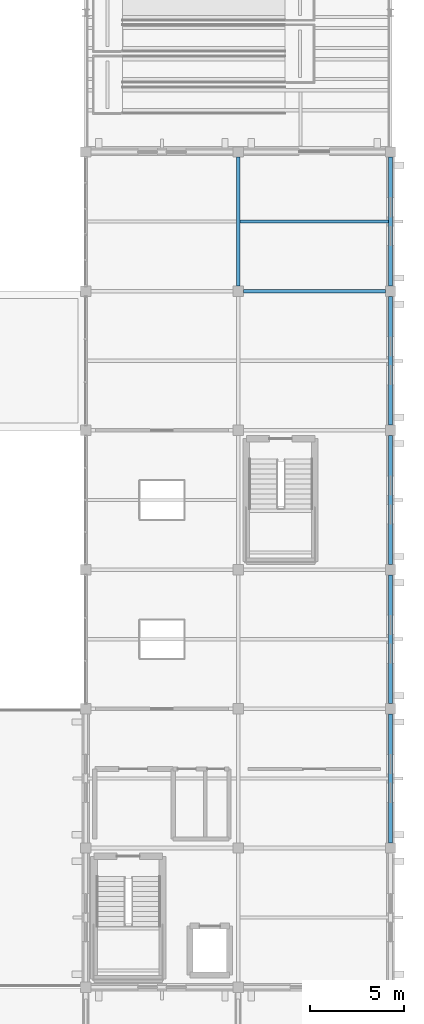
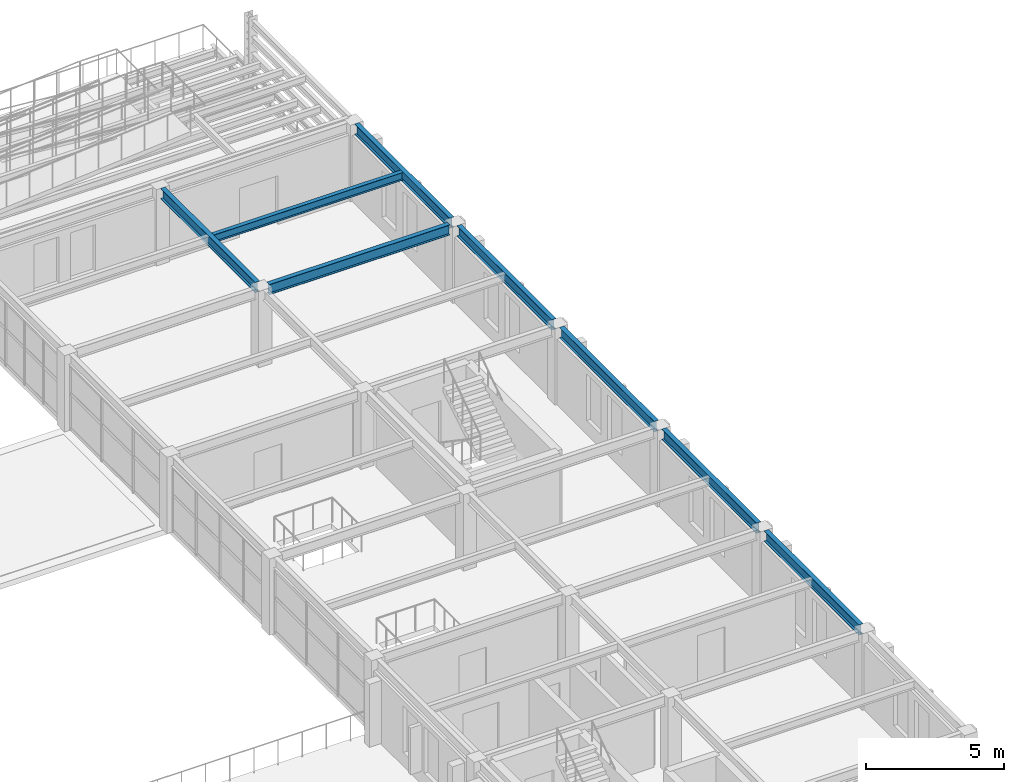
# One storey, part 86 of 121: 8 beams.
"""IFC4 building model written with IfcOpenShell, lengths in metres."""

from ifc_helpers import new_model, si_unit, direction, frame, origin, origin_2d, place, context, subcontext, project, spatial, i_section, extrude, material, material_profile, profile_set, type_object, element, save


model = new_model("IFC4")

# Units and contexts
model_context = context("Model", 3, precision=1e-05, world=origin(), true_north=direction((0.0, 1.0)))
body_context = subcontext(model_context, "Body", "Model", "MODEL_VIEW")
ifc_project = project(units=[si_unit("LENGTHUNIT", "METRE"), si_unit("AREAUNIT", "SQUARE_METRE"), si_unit("VOLUMEUNIT", "CUBIC_METRE"), si_unit("PLANEANGLEUNIT", "RADIAN"), si_unit("MASSUNIT", "GRAM", prefix="KILO")], contexts=[model_context])

# Site, building, storey
site_placement = place(None, origin())
site = spatial("IfcSite", under=ifc_project, at=site_placement, CompositionType="ELEMENT")
building_placement = place(site_placement, origin())
building = spatial("IfcBuilding", under=site, at=building_placement, Name="Cimatlan Art Gallery", CompositionType="ELEMENT")
storey_placement = place(building_placement, frame((0.0, 0.0, 10.199951171875)))
storey = spatial("IfcBuildingStorey", under=building, at=storey_placement, Name="L02", CompositionType="ELEMENT", Elevation=10.199951171875)

# Beams
ifc_material = material(Name="Steel ASTM A992 Grade 50", Category="steel")
ifc_material_profile_1 = material_profile(ifc_material, i_section(OverallWidth=0.1708984375, OverallDepth=0.35107421875, WebThickness=0.0068359375, FlangeThickness=0.009765625, at=origin_2d()), Name="W14X30")
ifc_profile_set_1 = profile_set([ifc_material_profile_1], Name="Steel ASTM A992 Grade 50")
beam_type_1 = type_object("IfcBeamType", Name="BM-STL-W14X30", PredefinedType="JOIST", material=ifc_profile_set_1)
beam_1_placement = place(storey_placement, frame((155.99560546875, 64.60009765625, 3.194580078125), z_axis=(1.0, 0.0, 0.0), x_axis=(0.0, 1.0, 0.0)))
element("IfcBeam", 1, at=beam_1_placement, inside=storey, type_object=beam_type_1, Name="JST-L02-19-08", PredefinedType="JOIST", context=body_context, shape_type="SweptSolid", body=[
    extrude(i_section(OverallWidth=0.1708984375, OverallDepth=0.35107421875, WebThickness=0.0068359375, FlangeThickness=0.009765625, at=origin_2d()), origin(), (0.0, 0.0, 1.0), 7.908935546875),
])
ifc_material_profile_2 = material_profile(ifc_material, i_section(OverallWidth=0.19091796875, OverallDepth=0.45703125, WebThickness=0.009033203125, FlangeThickness=0.014404296875, at=origin_2d()), Name="W18X50")
ifc_profile_set_2 = profile_set([ifc_material_profile_2], Name="Steel ASTM A992 Grade 50")
beam_type_2 = type_object("IfcBeamType", Name="BM-STL-W18X50", PredefinedType="BEAM", material=ifc_profile_set_2)
beam_2_placement = place(storey_placement, frame((155.89990234375, 61.175048828125, 3.1416015625), z_axis=(0.0, 1.0, 0.0), x_axis=(-1.0, 0.0, 0.0)))
element("IfcBeam", 2, at=beam_2_placement, inside=storey, type_object=beam_type_2, Name="BM-Y-L02-19-08", PredefinedType="BEAM", context=body_context, shape_type="SweptSolid", body=[
    extrude(i_section(OverallWidth=0.19091796875, OverallDepth=0.45703125, WebThickness=0.009033203125, FlangeThickness=0.014404296875, at=origin_2d()), origin(), (0.0, 0.0, 1.0), 6.849853515625),
])
beam_3_placement = place(storey_placement, frame((164.0, 31.574951171875, 3.1416015625), z_axis=(0.0, 1.0, 0.0), x_axis=(-1.0, 0.0, 0.0)))
element("IfcBeam", 3, at=beam_3_placement, inside=storey, type_object=beam_type_2, Name="BM-Y-L02-20-04", PredefinedType="BEAM", context=body_context, shape_type="SweptSolid", body=[
    extrude(i_section(OverallWidth=0.19091796875, OverallDepth=0.45703125, WebThickness=0.009033203125, FlangeThickness=0.014404296875, at=origin_2d()), origin(), (0.0, 0.0, 1.0), 6.85009765625),
])
beam_4_placement = place(storey_placement, frame((164.0, 38.97509765625, 3.1416015625), z_axis=(0.0, 1.0, 0.0), x_axis=(-1.0, 0.0, 0.0)))
element("IfcBeam", 4, at=beam_4_placement, inside=storey, type_object=beam_type_2, Name="BM-Y-L02-20-05", PredefinedType="BEAM", context=body_context, shape_type="SweptSolid", body=[
    extrude(i_section(OverallWidth=0.19091796875, OverallDepth=0.45703125, WebThickness=0.009033203125, FlangeThickness=0.014404296875, at=origin_2d()), origin(), (0.0, 0.0, 1.0), 6.849853515625),
])
for number, where, z_axis, x_axis, name in (
    (5, (164.0, 46.375, 3.1416015625), (0.0, 1.0, 0.0), (-1.0, 0.0, 0.0), "BM-Y-L02-20-06"),
    (6, (164.0, 53.77490234375, 3.1416015625), (0.0, 1.0, 0.0), (-1.0, 0.0, 0.0), "BM-Y-L02-20-07"),
):
    element("IfcBeam", number, at=place(storey_placement, frame(where, z_axis=z_axis, x_axis=x_axis)), inside=storey, type_object=beam_type_2, Name=name, PredefinedType="BEAM", context=body_context, shape_type="SweptSolid", body=[
        extrude(i_section(OverallWidth=0.19091796875, OverallDepth=0.45703125, WebThickness=0.009033203125, FlangeThickness=0.014404296875, at=origin_2d()), origin(), (0.0, 0.0, 1.0), 6.85009765625),
    ])
beam_5_placement = place(storey_placement, frame((164.0, 61.175048828125, 3.1416015625), z_axis=(0.0, 1.0, 0.0), x_axis=(-1.0, 0.0, 0.0)))
element("IfcBeam", 7, at=beam_5_placement, inside=storey, type_object=beam_type_2, Name="BM-Y-L02-20-08", PredefinedType="BEAM", context=body_context, shape_type="SweptSolid", body=[
    extrude(i_section(OverallWidth=0.19091796875, OverallDepth=0.45703125, WebThickness=0.009033203125, FlangeThickness=0.014404296875, at=origin_2d()), origin(), (0.0, 0.0, 1.0), 6.849853515625),
])
beam_6_placement = place(storey_placement, frame((156.175048828125, 60.89990234375, 3.1416015625), z_axis=(1.0, 0.0, 0.0), x_axis=(0.0, 1.0, 0.0)))
element("IfcBeam", 8, at=beam_6_placement, inside=storey, type_object=beam_type_2, Name="BM-X-L02-19-08", PredefinedType="BEAM", context=body_context, shape_type="SweptSolid", body=[
    extrude(i_section(OverallWidth=0.19091796875, OverallDepth=0.45703125, WebThickness=0.009033203125, FlangeThickness=0.014404296875, at=origin_2d()), origin(), (0.0, 0.0, 1.0), 7.550048828125),
])

save(model, "model.ifc")
